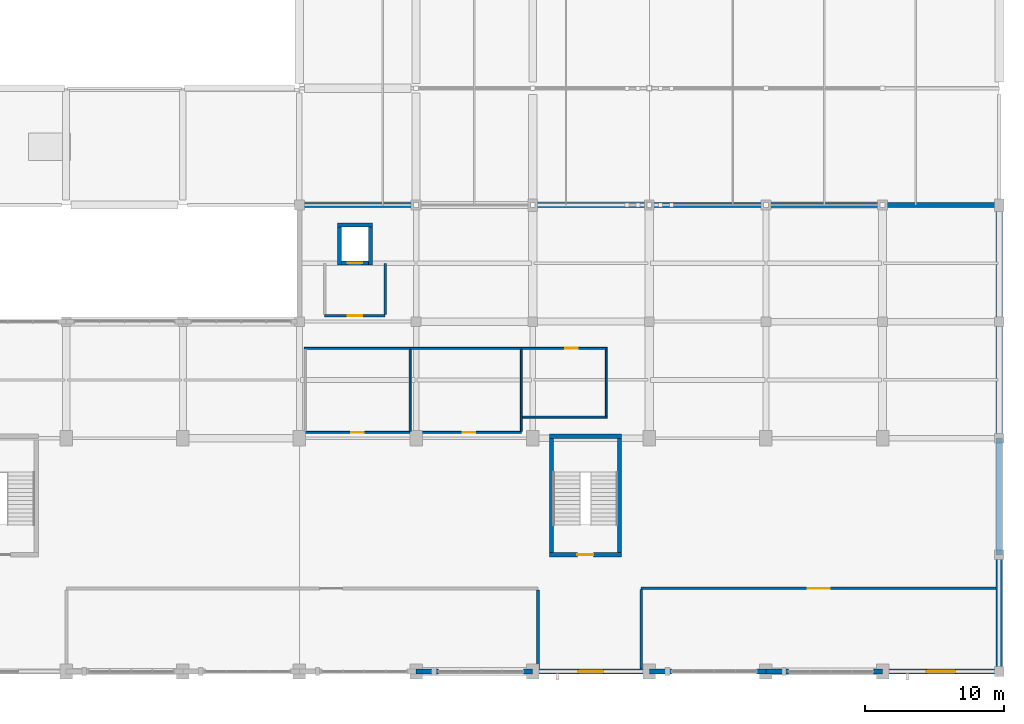
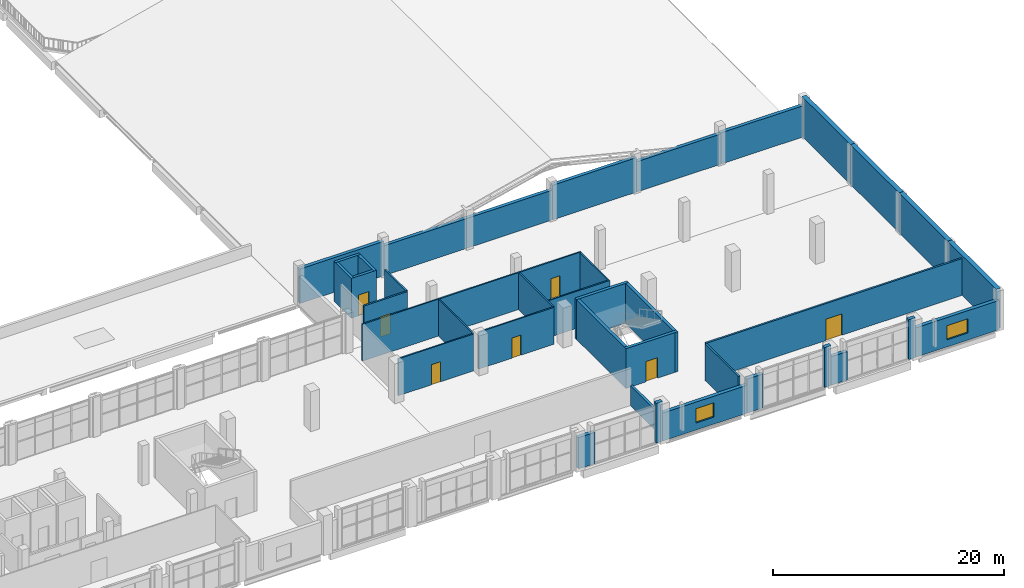
# One storey, part 57 of 64: 38 walls, 7 doors, 2 windows, 9 openings.
"""IFC4 building model written with IfcOpenShell, lengths in metres."""

import ifcopenshell
import ifcopenshell.guid

model = None  # the IFC model being written
_history = None  # IfcOwnerHistory: only IFC2X3 demands one
_inside = {}  # id of a spatial element -> (the spatial element, [elements in it])
_under = {}  # id of a project, library or spatial element -> (it, [spatial elements below it])
_declared = {}  # id of a project -> (the project, [libraries it declares])
_typed = {}  # id of a type object -> (the type object, [elements of that type])
_made_of = {}  # id of a material, layer set ... -> (it, [elements and type objects made of it])


def new_model(schema):
    """Start an empty IFC model of exactly this schema.

    Asked for "IFC4X3", IfcOpenShell would pick the latest addendum, in which some entities
    have other attributes; the version numbers below select the first issue.
    IFC2X3 requires an IfcOwnerHistory on every rooted entity: one is made here for all.
    """
    global model, _history
    if schema == "IFC4X3":
        model = ifcopenshell.file(schema_version=(4, 3, 0, 0))
    else:
        model = ifcopenshell.file(schema=schema)
    _inside.clear()
    _under.clear()
    _declared.clear()
    _typed.clear()
    _made_of.clear()
    _history = None
    if model.schema == "IFC2X3":
        org = make("IfcOrganization", Name="unknown")
        user = make(
            "IfcPersonAndOrganization",
            ThePerson=make("IfcPerson", FamilyName="unknown"),
            TheOrganization=org,
        )
        app = make(
            "IfcApplication",
            ApplicationDeveloper=org,
            Version="unknown",
            ApplicationFullName="unknown",
            ApplicationIdentifier="unknown",
        )
        _history = make(
            "IfcOwnerHistory",
            OwningUser=user,
            OwningApplication=app,
            ChangeAction="ADDED",
            CreationDate=0,
        )
    return model


def make(cls, **values):
    """One entity of the class cls with the attributes given. An attribute that is None is left unset."""
    return model.create_entity(
        cls, **{name: value for name, value in values.items() if value is not None}
    )


def rooted(cls, **values):
    """An entity with a GlobalId (a new one), such as an element, a storey or a relation."""
    return make(cls, GlobalId=ifcopenshell.guid.new(), OwnerHistory=_history, **values)


def si_unit(unit_type, name, prefix=None):
    """IfcSIUnit, for example si_unit("LENGTHUNIT", "METRE", prefix="MILLI")."""
    return make("IfcSIUnit", UnitType=unit_type, Prefix=prefix, Name=name)


def derived_unit(unit_type, elements):
    """IfcDerivedUnit: a product of units, each with its exponent."""
    return make(
        "IfcDerivedUnit",
        Elements=[
            make("IfcDerivedUnitElement", Unit=unit, Exponent=power)
            for unit, power in elements
        ],
        UnitType=unit_type,
    )


def assignment(units):
    """IfcUnitAssignment: the units of a project."""
    return None if units is None else make("IfcUnitAssignment", Units=units)


def point(xyz):
    """IfcCartesianPoint."""
    return None if xyz is None else make("IfcCartesianPoint", Coordinates=xyz)


def direction(xyz):
    """IfcDirection."""
    return None if xyz is None else make("IfcDirection", DirectionRatios=xyz)


def frame(location, z_axis=None, x_axis=None):
    """IfcAxis2Placement3D, a coordinate frame: its origin and axes. An axis left out is left unset."""
    return make(
        "IfcAxis2Placement3D",
        Location=point(location),
        Axis=direction(z_axis),
        RefDirection=direction(x_axis),
    )


def frame_2d(location, x_axis=None):
    """IfcAxis2Placement2D, a coordinate frame in the plane: its origin and x axis."""
    return make(
        "IfcAxis2Placement2D", Location=point(location), RefDirection=direction(x_axis)
    )


def origin():
    """The frame at (0, 0, 0) with its axes left unset."""
    return frame((0.0, 0.0, 0.0))


def place(relative_to, where):
    """IfcLocalPlacement: puts the frame where relative to a parent placement (None: the world)."""
    return make(
        "IfcLocalPlacement", PlacementRelTo=relative_to, RelativePlacement=where
    )


def context(
    kind, dimensions, precision=None, world=None, true_north=None, identifier=None
):
    """IfcGeometricRepresentationContext, for example the 3D "Model" context."""
    return make(
        "IfcGeometricRepresentationContext",
        ContextIdentifier=identifier,
        ContextType=kind,
        CoordinateSpaceDimension=dimensions,
        Precision=precision,
        WorldCoordinateSystem=world,
        TrueNorth=true_north,
    )


def subcontext(parent, identifier, kind, view, scale=None):
    """IfcGeometricRepresentationSubContext, for example "Body" below "Model"."""
    return make(
        "IfcGeometricRepresentationSubContext",
        ContextIdentifier=identifier,
        ContextType=kind,
        ParentContext=parent,
        TargetScale=scale,
        TargetView=view,
    )


def project(units=None, contexts=None):
    """IfcProject with its units and contexts."""
    return rooted(
        "IfcProject",
        Name="project",
        RepresentationContexts=contexts,
        UnitsInContext=assignment(units),
    )


def spatial(cls, under=None, at=None, **own):
    """A site, building, storey or space (cls), placed at a placement, below another one or the project."""
    s = rooted(cls, ObjectPlacement=at, **own)
    if under is not None:
        _under.setdefault(under.id(), (under, []))[1].append(s)
    return s


def profile(cls, at=None, kind="AREA", **sizes):
    """A parametric profile (cls). Its sizes go by their IFC names, for example OverallWidth=200.0."""
    return make(cls, ProfileType=kind, Position=at, **sizes)


def rectangle(**sizes):
    """IfcRectangleProfileDef."""
    return profile("IfcRectangleProfileDef", **sizes)


def extrude(swept, where, along, depth):
    """IfcExtrudedAreaSolid: the profile swept, set in the frame where, extruded along a direction by depth."""
    return make(
        "IfcExtrudedAreaSolid",
        SweptArea=swept,
        Position=where,
        ExtrudedDirection=direction(along),
        Depth=depth,
    )


def shape(context_of_items, identifier, shape_type, items):
    """IfcShapeRepresentation: the items that make up one representation, for example the "Body"."""
    return make(
        "IfcShapeRepresentation",
        ContextOfItems=context_of_items,
        RepresentationIdentifier=identifier,
        RepresentationType=shape_type,
        Items=items,
    )


def material(Name=None, Category=None):
    """IfcMaterial."""
    return make("IfcMaterial", Name=Name, Category=Category)


def layer(
    of_material, thickness, ventilated=None, Name=None, Category=None, Priority=None
):
    """IfcMaterialLayer: one layer of a wall or slab, of a material (None: an air gap)."""
    return make(
        "IfcMaterialLayer",
        Material=of_material,
        LayerThickness=thickness,
        IsVentilated=ventilated,
        Name=Name,
        Category=Category,
        Priority=Priority,
    )


def layer_set(layers, Name=None):
    """IfcMaterialLayerSet."""
    return make("IfcMaterialLayerSet", MaterialLayers=layers, LayerSetName=Name)


def made_of(thing, what):
    """Note that an element or type object is made of a material, layer set ...; save() writes the relation."""
    if what is not None:
        _made_of.setdefault(what.id(), (what, []))[1].append(thing)
    return thing


def type_object(cls, material=None, **own):
    """A type object (cls), such as IfcWallType, which elements share."""
    return made_of(rooted(cls, **own), material)


def element(
    cls,
    number,
    at=None,
    inside=None,
    cuts=None,
    type_object=None,
    material=None,
    context=None,
    identifier="Body",
    shape_type=None,
    held_by="IfcProductDefinitionShape",
    body=None,
    shapes=None,
    **own,
):
    """One element of the class cls, such as IfcWall. Its Tag is "e" and its number.

    at: its placement. inside: the storey or other place that contains it. cuts: it is an
    opening in that element (IfcRelVoidsElement). A single representation is given by context,
    identifier, shape_type and body (its items); several are given by shapes. held_by: the class
    of the entity that holds the representations. save() writes the other relations.
    """
    e = rooted(cls, Tag="e%d" % number, ObjectPlacement=at, **own)
    if body is not None:
        shapes = [shape(context, identifier, shape_type, body)]
    if shapes is not None:
        e.Representation = make(held_by, Representations=shapes)
    if inside is not None:
        _inside.setdefault(inside.id(), (inside, []))[1].append(e)
    if cuts is not None:
        rooted(
            "IfcRelVoidsElement", RelatingBuildingElement=cuts, RelatedOpeningElement=e
        )
    if type_object is not None:
        _typed.setdefault(type_object.id(), (type_object, []))[1].append(e)
    return made_of(e, material)


def fill(opening, filler):
    """IfcRelFillsElement: the door or window that sits in an opening."""
    return rooted(
        "IfcRelFillsElement",
        RelatingOpeningElement=opening,
        RelatedBuildingElement=filler,
    )


def aggregate(whole, parts):
    """IfcRelAggregates: a whole, such as a stair, and the parts it consists of."""
    return rooted("IfcRelAggregates", RelatingObject=whole, RelatedObjects=parts)


def save(model, path):
    """Write the relations noted so far, then the file.

    IfcRelAggregates (storeys below a building ...), IfcRelContainedInSpatialStructure (elements
    in a storey), IfcRelDefinesByType, IfcRelAssociatesMaterial and IfcRelDeclares: one each for
    every whole, place, type object, material and project.
    """
    for whole, parts in _under.values():
        aggregate(whole, parts)
    for where, things in _inside.values():
        rooted(
            "IfcRelContainedInSpatialStructure",
            RelatedElements=things,
            RelatingStructure=where,
        )
    for kind, things in _typed.values():
        rooted("IfcRelDefinesByType", RelatedObjects=things, RelatingType=kind)
    for what, things in _made_of.values():
        rooted("IfcRelAssociatesMaterial", RelatedObjects=things, RelatingMaterial=what)
    for by, libraries in _declared.values():
        rooted("IfcRelDeclares", RelatingContext=by, RelatedDefinitions=libraries)
    model.write(path)


model = new_model("IFC4")

# Units and contexts
model_context = context("Model", 3, precision=1e-05, world=origin(), true_north=direction((0.0, 1.0)))
body_context = subcontext(model_context, "Body", "Model", "MODEL_VIEW")
ifc_project = project(units=[si_unit("LENGTHUNIT", "METRE"), si_unit("AREAUNIT", "SQUARE_METRE"), si_unit("VOLUMEUNIT", "CUBIC_METRE"), si_unit("PLANEANGLEUNIT", "RADIAN"), si_unit("MASSUNIT", "GRAM", prefix="KILO"), derived_unit("THERMALTRANSMITTANCEUNIT", [(si_unit("POWERUNIT", "WATT"), 1), (si_unit("LENGTHUNIT", "METRE"), -2), (si_unit("THERMODYNAMICTEMPERATUREUNIT", "KELVIN"), -1)])], contexts=[model_context])

# Site, building, storey
site_placement = place(None, origin())
site = spatial("IfcSite", under=ifc_project, at=site_placement, CompositionType="ELEMENT")
building_placement = place(site_placement, origin())
building = spatial("IfcBuilding", under=site, at=building_placement, Name="Barrovel Congress Hotel", CompositionType="ELEMENT")
storey_placement = place(building_placement, frame((0.0, 0.0, 14.10009765625)))
storey = spatial("IfcBuildingStorey", under=building, at=storey_placement, Name="L03", CompositionType="ELEMENT", Elevation=14.10009765625)

# Walls
ifc_material_1 = material(Name="Fired Clay Brick Masonry", Category="masonry")
ifc_layer_1 = layer(ifc_material_1, 0.340087890625)
ifc_layer_set_1 = layer_set([ifc_layer_1], Name="Fired Clay Brick Masonry")
wall_type_1 = type_object("IfcWallType", Name="EW-BRK340", PredefinedType="STANDARD", material=ifc_layer_set_1)
wall_1_placement = place(storey_placement, frame((151.199951171875, 37.800048828125, 0.0), z_axis=(0.0, 0.0, 1.0), x_axis=(-1.0, 0.0, 0.0)))
element("IfcWall", 1, at=wall_1_placement, inside=storey, type_object=wall_type_1, Name="EW:L03:V4N-E", PredefinedType="STANDARD", context=body_context, shape_type="SweptSolid", body=[
    extrude(rectangle(XDim=16.800048828125, YDim=0.340087890625, at=frame_2d((8.39990234375, 0.0))), origin(), (0.0, 0.0, 1.0), 3.14990234375),
])
wall_2_placement = place(storey_placement, frame((176.39990234375, 37.800048828125, 0.0), z_axis=(0.0, 0.0, 1.0), x_axis=(-1.0, 0.0, 0.0)))
element("IfcWall", 2, at=wall_2_placement, inside=storey, type_object=wall_type_1, Name="EW:L03:V4N-E:P01", PredefinedType="STANDARD", context=body_context, shape_type="SweptSolid", body=[
    extrude(rectangle(XDim=8.39990234375, YDim=0.340087890625, at=frame_2d((4.199951171875, 0.0))), origin(), (0.0, 0.0, 1.0), 3.2998046875),
])
wall_3_placement = place(storey_placement, frame((168.0, 37.800048828125, 0.0), z_axis=(0.0, 0.0, 1.0), x_axis=(-1.0, 0.0, 0.0)))
element("IfcWall", 3, at=wall_3_placement, inside=storey, type_object=wall_type_1, Name="EW:L03:V4N-E:P02", PredefinedType="STANDARD", context=body_context, shape_type="SweptSolid", body=[
    extrude(rectangle(XDim=8.39990234375, YDim=0.340087890625, at=frame_2d((4.199951171875, 0.0))), origin(), (0.0, 0.0, 1.0), 3.199951171875),
])
wall_4_placement = place(storey_placement, frame((159.60009765625, 37.800048828125, 0.0), z_axis=(0.0, 0.0, 1.0), x_axis=(-1.0, 0.0, 0.0)))
element("IfcWall", 4, at=wall_4_placement, inside=storey, type_object=wall_type_1, Name="EW:L03:V4N-E:P03", PredefinedType="STANDARD", context=body_context, shape_type="SweptSolid", body=[
    extrude(rectangle(XDim=8.400146484375, YDim=0.340087890625, at=frame_2d((4.2001953125, 0.0))), origin(), (0.0, 0.0, 1.0), 3.65283203125),
])
wall_5_placement = place(storey_placement, frame((134.39990234375, 37.800048828125, 0.0), z_axis=(0.0, 0.0, 1.0), x_axis=(-1.0, 0.0, 0.0)))
element("IfcWall", 5, at=wall_5_placement, inside=storey, type_object=wall_type_1, Name="EW:L03:V4N-E:P05", PredefinedType="STANDARD", context=body_context, shape_type="SweptSolid", body=[
    extrude(rectangle(XDim=8.39990234375, YDim=0.340087890625, at=frame_2d((4.199951171875, 0.0))), origin(), (0.0, 0.0, 1.0), 3.64599609375),
])
ifc_layer_2 = layer(ifc_material_1, 0.360107421875)
ifc_layer_set_2 = layer_set([ifc_layer_2], Name="Fired Clay Brick Masonry")
wall_type_2 = type_object("IfcWallType", Name="EW-BRK360", PredefinedType="STANDARD", material=ifc_layer_set_2)
wall_6_placement = place(storey_placement, frame((134.39990234375, 4.199951171875, 0.0), z_axis=(0.0, 0.0, 1.0), x_axis=(1.0, 0.0, 0.0)))
element("IfcWall", 6, at=wall_6_placement, inside=storey, type_object=wall_type_2, Name="EW:L03:SJ-L:16", PredefinedType="STANDARD", context=body_context, shape_type="SweptSolid", body=[
    extrude(rectangle(XDim=1.6201171875, YDim=0.360107421875, at=frame_2d((0.81005859375, 0.0))), origin(), (0.0, 0.0, 1.0), 3.2998046875),
])
wall_7_placement = place(storey_placement, frame((142.139892578125, 4.199951171875, 0.0), z_axis=(0.0, 0.0, 1.0), x_axis=(1.0, 0.0, 0.0)))
element("IfcWall", 7, at=wall_7_placement, inside=storey, type_object=wall_type_2, Name="EW:L03:SJ-R:16", PredefinedType="STANDARD", context=body_context, shape_type="SweptSolid", body=[
    extrude(rectangle(XDim=0.66015625, YDim=0.360107421875, at=frame_2d((0.330078125, 0.0))), origin(), (0.0, 0.0, 1.0), 4.199951171875),
])

# Wall, opening, window
wall_8_placement = place(storey_placement, frame((142.800048828125, 4.199951171875, 0.0), z_axis=(0.0, 0.0, 1.0), x_axis=(1.0, 0.0, 0.0)))
wall_8 = element("IfcWall", 8, at=wall_8_placement, inside=storey, type_object=wall_type_2, Name="EW:L03:S:17", PredefinedType="STANDARD", context=body_context, shape_type="SweptSolid", body=[
    extrude(rectangle(XDim=8.39990234375, YDim=0.360107421875, at=frame_2d((4.199951171875, 0.0))), origin(), (0.0, 0.0, 1.0), 2.949951171875),
])
opening_1_placement = place(wall_8_placement, frame((3.300048828125, 0.0, 0.75)))
opening_1 = element("IfcOpeningElement", 9, at=opening_1_placement, cuts=wall_8, Name="Opening WN-03", PredefinedType="OPENING", context=body_context, shape_type="SweptSolid", body=[
    extrude(rectangle(XDim=1.800048828125, YDim=1.5, at=frame_2d((0.89990234375, 0.75))), frame((0.0, 0.18994140625, 0.0), z_axis=(0.0, -1.0, 0.0), x_axis=(1.0, 0.0, 0.0)), (0.0, 0.0, 1.0), 0.380126953125),
])
ifc_material_2 = material(Name="Double Low-E Insulated Glazing", Category="glass")
window_type_1 = type_object("IfcWindowType", Name="WIN-WN-03", PartitioningType="SINGLE_PANEL", PredefinedType="WINDOW", material=ifc_material_2)
window_1_placement = place(opening_1_placement, origin())
window_1 = element("IfcWindow", 10, at=window_1_placement, inside=storey, type_object=window_type_1, Name="WIN:L03:S:17", OverallHeight=1.5, OverallWidth=1.800048828125, PartitioningType="SINGLE_PANEL", PredefinedType="WINDOW", context=body_context, shape_type="SweptSolid", body=[
    extrude(rectangle(XDim=1.800048828125, YDim=1.5, at=frame_2d((0.89990234375, 0.75))), frame((0.0, 0.030029296875, 0.0), z_axis=(0.0, -1.0, 0.0), x_axis=(1.0, 0.0, 0.0)), (0.0, 0.0, 1.0), 0.06005859375),
])
fill(opening_1, window_1)

# Walls
wall_9_placement = place(storey_placement, frame((151.199951171875, 4.199951171875, 0.0), z_axis=(0.0, 0.0, 1.0), x_axis=(1.0, 0.0, 0.0)))
element("IfcWall", 11, at=wall_9_placement, inside=storey, type_object=wall_type_2, Name="EW:L03:SJ-L:18", PredefinedType="STANDARD", context=body_context, shape_type="SweptSolid", body=[
    extrude(rectangle(XDim=1.6201171875, YDim=0.360107421875, at=frame_2d((0.81005859375, 0.0))), origin(), (0.0, 0.0, 1.0), 3.58984375),
])
wall_10_placement = place(storey_placement, frame((158.93994140625, 4.199951171875, 0.0), z_axis=(0.0, 0.0, 1.0), x_axis=(1.0, 0.0, 0.0)))
element("IfcWall", 12, at=wall_10_placement, inside=storey, type_object=wall_type_2, Name="EW:L03:SJ-R:18", PredefinedType="STANDARD", context=body_context, shape_type="SweptSolid", body=[
    extrude(rectangle(XDim=0.66015625, YDim=0.360107421875, at=frame_2d((0.330078125, 0.0))), origin(), (0.0, 0.0, 1.0), 4.199951171875),
])
wall_11_placement = place(storey_placement, frame((159.60009765625, 4.199951171875, 0.0), z_axis=(0.0, 0.0, 1.0), x_axis=(1.0, 0.0, 0.0)))
element("IfcWall", 13, at=wall_11_placement, inside=storey, type_object=wall_type_2, Name="EW:L03:SJ-L:19", PredefinedType="STANDARD", context=body_context, shape_type="SweptSolid", body=[
    extrude(rectangle(XDim=1.619873046875, YDim=0.360107421875, at=frame_2d((0.81005859375, 0.0))), origin(), (0.0, 0.0, 1.0), 3.0),
])
wall_12_placement = place(storey_placement, frame((167.340087890625, 4.199951171875, 0.0), z_axis=(0.0, 0.0, 1.0), x_axis=(1.0, 0.0, 0.0)))
element("IfcWall", 14, at=wall_12_placement, inside=storey, type_object=wall_type_2, Name="EW:L03:SJ-R:19", PredefinedType="STANDARD", context=body_context, shape_type="SweptSolid", body=[
    extrude(rectangle(XDim=0.659912109375, YDim=0.360107421875, at=frame_2d((0.330078125, 0.0))), origin(), (0.0, 0.0, 1.0), 4.199951171875),
])

# Wall, opening, window
wall_13_placement = place(storey_placement, frame((168.0, 4.199951171875, 0.0), z_axis=(0.0, 0.0, 1.0), x_axis=(1.0, 0.0, 0.0)))
wall_13 = element("IfcWall", 15, at=wall_13_placement, inside=storey, type_object=wall_type_2, Name="EW:L03:S:20", PredefinedType="STANDARD", context=body_context, shape_type="SweptSolid", body=[
    extrude(rectangle(XDim=8.39990234375, YDim=0.360107421875, at=frame_2d((4.199951171875, 0.0))), origin(), (0.0, 0.0, 1.0), 3.099853515625),
])
opening_2_placement = place(wall_13_placement, frame((3.14990234375, 0.0, 0.75)))
opening_2 = element("IfcOpeningElement", 16, at=opening_2_placement, cuts=wall_13, Name="Opening WN-04", PredefinedType="OPENING", context=body_context, shape_type="SweptSolid", body=[
    extrude(rectangle(XDim=2.10009765625, YDim=1.5, at=frame_2d((1.050048828125, 0.75))), frame((0.0, 0.18994140625, 0.0), z_axis=(0.0, -1.0, 0.0), x_axis=(1.0, 0.0, 0.0)), (0.0, 0.0, 1.0), 0.380126953125),
])
window_type_2 = type_object("IfcWindowType", Name="WIN-WN-04", PartitioningType="SINGLE_PANEL", PredefinedType="WINDOW", material=ifc_material_2)
window_2_placement = place(opening_2_placement, origin())
window_2 = element("IfcWindow", 17, at=window_2_placement, inside=storey, type_object=window_type_2, Name="WIN:L03:S:20", OverallHeight=1.5, OverallWidth=2.10009765625, PartitioningType="SINGLE_PANEL", PredefinedType="WINDOW", context=body_context, shape_type="SweptSolid", body=[
    extrude(rectangle(XDim=2.10009765625, YDim=1.5, at=frame_2d((1.050048828125, 0.75))), frame((0.0, 0.030029296875, 0.0), z_axis=(0.0, -1.0, 0.0), x_axis=(1.0, 0.0, 0.0)), (0.0, 0.0, 1.0), 0.06005859375),
])
fill(opening_2, window_2)

# Walls
ifc_layer_3 = layer(ifc_material_1, 0.449951171875)
ifc_layer_set_3 = layer_set([ifc_layer_3], Name="Fired Clay Brick Masonry")
wall_type_3 = type_object("IfcWallType", Name="EW-PW450", PredefinedType="STANDARD", material=ifc_layer_set_3)
wall_14_placement = place(storey_placement, frame((176.39990234375, 4.199951171875, 0.0), z_axis=(0.0, 0.0, 1.0), x_axis=(0.0, 1.0, 0.0)))
element("IfcWall", 18, at=wall_14_placement, inside=storey, type_object=wall_type_3, Name="EW:L03:PARTY:4.2", PredefinedType="STANDARD", context=body_context, shape_type="SweptSolid", body=[
    extrude(rectangle(XDim=8.400146484375, YDim=0.449951171875, at=frame_2d((4.2001953125, 0.0))), origin(), (0.0, 0.0, 1.0), 4.199951171875),
])
for number, where, z_axis, x_axis, name in (
    (19, (176.39990234375, 12.60009765625, 0.0), (0.0, 0.0, 1.0), (0.0, 1.0, 0.0), "EW:L03:PARTY:12.6"),
    (20, (176.39990234375, 21.0, 0.0), (0.0, 0.0, 1.0), (0.0, 1.0, 0.0), "EW:L03:PARTY:21.0"),
):
    element("IfcWall", number, at=place(storey_placement, frame(where, z_axis=z_axis, x_axis=x_axis)), inside=storey, type_object=wall_type_3, Name=name, PredefinedType="STANDARD", context=body_context, shape_type="SweptSolid", body=[
        extrude(rectangle(XDim=8.39990234375, YDim=0.449951171875, at=frame_2d((4.199951171875, 0.0))), origin(), (0.0, 0.0, 1.0), 4.199951171875),
    ])
wall_15_placement = place(storey_placement, frame((176.39990234375, 29.39990234375, 0.0), z_axis=(0.0, 0.0, 1.0), x_axis=(0.0, 1.0, 0.0)))
element("IfcWall", 21, at=wall_15_placement, inside=storey, type_object=wall_type_3, Name="EW:L03:PARTY:29.4", PredefinedType="STANDARD", context=body_context, shape_type="SweptSolid", body=[
    extrude(rectangle(XDim=8.400146484375, YDim=0.449951171875, at=frame_2d((4.2001953125, 0.0))), origin(), (0.0, 0.0, 1.0), 4.199951171875),
])

# Wall, opening, door
ifc_material_3 = material(Name="Gypsum Acoustic Stud", Category="gypsum")
ifc_layer_4 = layer(ifc_material_3, 0.179931640625)
ifc_layer_set_4 = layer_set([ifc_layer_4], Name="Gypsum Acoustic Stud")
wall_type_4 = type_object("IfcWallType", Name="PW-ACU-180", PredefinedType="PARTITIONING", material=ifc_layer_set_4)
wall_16_placement = place(storey_placement, frame((127.820068359375, 29.820068359375, 0.0), z_axis=(0.0, 0.0, 1.0), x_axis=(1.0, 0.0, 0.0)))
wall_16 = element("IfcWall", 22, at=wall_16_placement, inside=storey, type_object=wall_type_4, Name="RW:SP:L03:LL-CL2:S", PredefinedType="PARTITIONING", context=body_context, shape_type="SweptSolid", body=[
    extrude(rectangle(XDim=4.35986328125, YDim=0.179931640625, at=frame_2d((2.179931640625, 0.0))), origin(), (0.0, 0.0, 1.0), 3.89501953125),
])
opening_3_placement = place(wall_16_placement, frame((1.669921875, 0.0, 0.0)))
opening_3 = element("IfcOpeningElement", 23, at=opening_3_placement, cuts=wall_16, Name="Opening ID-ACC", PredefinedType="OPENING", context=body_context, shape_type="SweptSolid", body=[
    extrude(rectangle(XDim=1.02001953125, YDim=2.14990234375, at=frame_2d((0.510009765625, 1.074951171875))), frame((0.0, 0.10009765625, 0.0), z_axis=(0.0, -1.0, 0.0), x_axis=(1.0, 0.0, 0.0)), (0.0, 0.0, 1.0), 0.199951171875),
])
ifc_material_4 = material(Name="Solid Oak Acoustic Timber Door", Category="wood")
door_type_1 = type_object("IfcDoorType", Name="IDR-ID-ACC", OperationType="NOTDEFINED", PredefinedType="DOOR", material=ifc_material_4)
door_1_placement = place(opening_3_placement, origin())
door_1 = element("IfcDoor", 24, at=door_1_placement, inside=storey, type_object=door_type_1, Name="RD:SP:L03:LL-CL2", OperationType="SINGLE_SWING_LEFT", OverallHeight=2.14990234375, OverallWidth=1.02001953125, PredefinedType="DOOR", context=body_context, shape_type="SweptSolid", body=[
    extrude(rectangle(XDim=1.02001953125, YDim=2.14990234375, at=frame_2d((0.510009765625, 1.074951171875))), frame((0.0, 0.02490234375, 0.0), z_axis=(0.0, -1.0, 0.0), x_axis=(1.0, 0.0, 0.0)), (0.0, 0.0, 1.0), 0.050048828125),
])
fill(opening_3, door_1)

# Wall
wall_17_placement = place(storey_placement, frame((132.179931640625, 29.909912109375, 0.0), z_axis=(0.0, 0.0, 1.0), x_axis=(0.0, 1.0, 0.0)))
element("IfcWall", 25, at=wall_17_placement, inside=storey, type_object=wall_type_4, Name="RW:SP:L03:LL-CL2:E", PredefinedType="PARTITIONING", context=body_context, shape_type="SweptSolid", body=[
    extrude(rectangle(XDim=3.670166015625, YDim=0.179931640625, at=frame_2d((1.8349609375, 0.0))), origin(), (0.0, 0.0, 1.0), 3.89501953125),
])

# Wall, opening, door
wall_18_placement = place(storey_placement, frame((150.6201171875, 10.179931640625, 0.0), z_axis=(0.0, 0.0, 1.0), x_axis=(1.0, 0.0, 0.0)))
wall_18 = element("IfcWall", 26, at=wall_18_placement, inside=storey, type_object=wall_type_4, Name="RW:SP:L03:HOSP-2:N", PredefinedType="PARTITIONING", context=body_context, shape_type="SweptSolid", body=[
    extrude(rectangle(XDim=25.554931640625, YDim=0.179931640625, at=frame_2d((12.77734375, 0.0))), origin(), (0.0, 0.0, 1.0), 3.89501953125),
])
opening_4_placement = place(wall_18_placement, frame((11.9775390625, 0.0, 0.0)))
opening_4 = element("IfcOpeningElement", 27, at=opening_4_placement, cuts=wall_18, Name="Opening ID-MTG", PredefinedType="OPENING", context=body_context, shape_type="SweptSolid", body=[
    extrude(rectangle(XDim=1.60009765625, YDim=2.25, at=frame_2d((0.800048828125, 1.125))), frame((0.0, 0.10009765625, 0.0), z_axis=(0.0, -1.0, 0.0), x_axis=(1.0, 0.0, 0.0)), (0.0, 0.0, 1.0), 0.199951171875),
])
door_type_2 = type_object("IfcDoorType", Name="IDR-ID-MTG", OperationType="NOTDEFINED", PredefinedType="DOOR", material=ifc_material_4)
door_2_placement = place(opening_4_placement, origin())
door_2 = element("IfcDoor", 28, at=door_2_placement, inside=storey, type_object=door_type_2, Name="RD:SP:L03:HOSP-2", OperationType="DOUBLE_DOOR_SINGLE_SWING", OverallHeight=2.25, OverallWidth=1.60009765625, PredefinedType="DOOR", context=body_context, shape_type="SweptSolid", body=[
    extrude(rectangle(XDim=1.60009765625, YDim=2.25, at=frame_2d((0.800048828125, 1.125))), frame((0.0, 0.02490234375, 0.0), z_axis=(0.0, -1.0, 0.0), x_axis=(1.0, 0.0, 0.0)), (0.0, 0.0, 1.0), 0.050048828125),
])
fill(opening_4, door_2)

# Walls
wall_19_placement = place(storey_placement, frame((150.6201171875, 4.3798828125, 0.0), z_axis=(0.0, 0.0, 1.0), x_axis=(0.0, 1.0, 0.0)))
element("IfcWall", 29, at=wall_19_placement, inside=storey, type_object=wall_type_4, Name="RW:SP:L03:HOSP-2:W", PredefinedType="PARTITIONING", context=body_context, shape_type="SweptSolid", body=[
    extrude(rectangle(XDim=5.710205078125, YDim=0.179931640625, at=frame_2d((2.85498046875, 0.0))), origin(), (0.0, 0.0, 1.0), 3.89501953125),
])
ifc_layer_5 = layer(ifc_material_1, 0.239990234375)
ifc_layer_set_5 = layer_set([ifc_layer_5], Name="Fired Clay Brick Masonry")
wall_type_5 = type_object("IfcWallType", Name="PW-MAS-240", PredefinedType="PARTITIONING", material=ifc_layer_set_5)
wall_20_placement = place(storey_placement, frame((143.179931640625, 4.3798828125, 0.0), z_axis=(0.0, 0.0, 1.0), x_axis=(0.0, 1.0, 0.0)))
element("IfcWall", 30, at=wall_20_placement, inside=storey, type_object=wall_type_5, Name="RW:SP:L03:HOSP-1:E", PredefinedType="PARTITIONING", context=body_context, shape_type="SweptSolid", body=[
    extrude(rectangle(XDim=5.68017578125, YDim=0.239990234375, at=frame_2d((2.840087890625, 0.0))), origin(), (0.0, 0.0, 1.0), 2.099853515625),
])
ifc_material_5 = material(Name="Gypsum Moisture Board", Category="gypsum")
ifc_layer_6 = layer(ifc_material_5, 0.139892578125)
ifc_layer_set_6 = layer_set([ifc_layer_6], Name="Gypsum Moisture Board")
wall_type_6 = type_object("IfcWallType", Name="PW-WET-140", PredefinedType="PARTITIONING", material=ifc_layer_set_6)
wall_21_placement = place(storey_placement, frame((126.35009765625, 27.47998046875, 0.0), z_axis=(0.0, 0.0, 1.0), x_axis=(1.0, 0.0, 0.0)))
element("IfcWall", 31, at=wall_21_placement, inside=storey, type_object=wall_type_6, Name="RW:SP:L03:WCB:N", PredefinedType="PARTITIONING", context=body_context, shape_type="SweptSolid", body=[
    extrude(rectangle(XDim=15.699951171875, YDim=0.139892578125, at=frame_2d((7.85009765625, 0.0))), origin(), (0.0, 0.0, 1.0), 3.89501953125),
])

# Wall, opening, door
wall_22_placement = place(storey_placement, frame((126.419921875, 21.419921875, 0.0), z_axis=(0.0, 0.0, 1.0), x_axis=(1.0, 0.0, 0.0)))
wall_22 = element("IfcWall", 32, at=wall_22_placement, inside=storey, type_object=wall_type_6, Name="RW:SP:L03:WC-M3:S", PredefinedType="PARTITIONING", context=body_context, shape_type="SweptSolid", body=[
    extrude(rectangle(XDim=7.56005859375, YDim=0.139892578125, at=frame_2d((3.780029296875, 0.0))), origin(), (0.0, 0.0, 1.0), 3.89501953125),
])
opening_5_placement = place(wall_22_placement, frame((3.330078125, 0.0, 0.0)))
opening_5 = element("IfcOpeningElement", 33, at=opening_5_placement, cuts=wall_22, Name="Opening ID-WC1", PredefinedType="OPENING", context=body_context, shape_type="SweptSolid", body=[
    extrude(rectangle(XDim=0.89990234375, YDim=2.1201171875, at=frame_2d((0.449951171875, 1.06005859375))), frame((0.0, 0.080078125, 0.0), z_axis=(0.0, -1.0, 0.0), x_axis=(1.0, 0.0, 0.0)), (0.0, 0.0, 1.0), 0.159912109375),
])
ifc_material_6 = material(Name="Lacquered Timber Moisture Door", Category="wood")
door_type_3 = type_object("IfcDoorType", Name="IDR-ID-WC1", OperationType="NOTDEFINED", PredefinedType="DOOR", material=ifc_material_6)
door_3_placement = place(opening_5_placement, origin())
door_3 = element("IfcDoor", 34, at=door_3_placement, inside=storey, type_object=door_type_3, Name="RD:SP:L03:WC-M3", OperationType="SINGLE_SWING_LEFT", OverallHeight=2.1201171875, OverallWidth=0.89990234375, PredefinedType="DOOR", context=body_context, shape_type="SweptSolid", body=[
    extrude(rectangle(XDim=0.89990234375, YDim=2.1201171875, at=frame_2d((0.449951171875, 1.06005859375))), frame((0.0, 0.02490234375, 0.0), z_axis=(0.0, -1.0, 0.0), x_axis=(1.0, 0.0, 0.0)), (0.0, 0.0, 1.0), 0.050048828125),
])
fill(opening_5, door_3)

# Wall
wall_23_placement = place(storey_placement, frame((133.97998046875, 21.489990234375, 0.0), z_axis=(0.0, 0.0, 1.0), x_axis=(0.0, 1.0, 0.0)))
element("IfcWall", 35, at=wall_23_placement, inside=storey, type_object=wall_type_6, Name="RW:SP:L03:WC-M3:E", PredefinedType="PARTITIONING", context=body_context, shape_type="SweptSolid", body=[
    extrude(rectangle(XDim=5.919921875, YDim=0.139892578125, at=frame_2d((2.9599609375, 0.0))), origin(), (0.0, 0.0, 1.0), 3.89501953125),
])

# Wall, opening, door
wall_24_placement = place(storey_placement, frame((134.419921875, 21.419921875, 0.0), z_axis=(0.0, 0.0, 1.0), x_axis=(1.0, 0.0, 0.0)))
wall_24 = element("IfcWall", 36, at=wall_24_placement, inside=storey, type_object=wall_type_6, Name="RW:SP:L03:WC-F3:S", PredefinedType="PARTITIONING", context=body_context, shape_type="SweptSolid", body=[
    extrude(rectangle(XDim=7.56005859375, YDim=0.139892578125, at=frame_2d((3.780029296875, 0.0))), origin(), (0.0, 0.0, 1.0), 3.89501953125),
])
opening_6_placement = place(wall_24_placement, frame((3.330078125, 0.0, 0.0)))
opening_6 = element("IfcOpeningElement", 37, at=opening_6_placement, cuts=wall_24, Name="Opening ID-WC1", PredefinedType="OPENING", context=body_context, shape_type="SweptSolid", body=[
    extrude(rectangle(XDim=0.89990234375, YDim=2.1201171875, at=frame_2d((0.449951171875, 1.06005859375))), frame((0.0, 0.080078125, 0.0), z_axis=(0.0, -1.0, 0.0), x_axis=(1.0, 0.0, 0.0)), (0.0, 0.0, 1.0), 0.159912109375),
])
door_4_placement = place(opening_6_placement, origin())
door_4 = element("IfcDoor", 38, at=door_4_placement, inside=storey, type_object=door_type_3, Name="RD:SP:L03:WC-F3", OperationType="SINGLE_SWING_RIGHT", OverallHeight=2.1201171875, OverallWidth=0.89990234375, PredefinedType="DOOR", context=body_context, shape_type="SweptSolid", body=[
    extrude(rectangle(XDim=0.89990234375, YDim=2.1201171875, at=frame_2d((0.449951171875, 1.06005859375))), frame((0.0, 0.02490234375, 0.0), z_axis=(0.0, -1.0, 0.0), x_axis=(1.0, 0.0, 0.0)), (0.0, 0.0, 1.0), 0.050048828125),
])
fill(opening_6, door_4)

# Walls
wall_25_placement = place(storey_placement, frame((141.97998046875, 21.489990234375, 0.0), z_axis=(0.0, 0.0, 1.0), x_axis=(0.0, 1.0, 0.0)))
element("IfcWall", 39, at=wall_25_placement, inside=storey, type_object=wall_type_6, Name="RW:SP:L03:WC-F3:E", PredefinedType="PARTITIONING", context=body_context, shape_type="SweptSolid", body=[
    extrude(rectangle(XDim=5.919921875, YDim=0.139892578125, at=frame_2d((2.9599609375, 0.0))), origin(), (0.0, 0.0, 1.0), 3.89501953125),
])
wall_26_placement = place(storey_placement, frame((142.050048828125, 22.52001953125, 0.0), z_axis=(0.0, 0.0, 1.0), x_axis=(1.0, 0.0, 0.0)))
element("IfcWall", 40, at=wall_26_placement, inside=storey, type_object=wall_type_6, Name="RW:SP:L03:WC-A3:S", PredefinedType="PARTITIONING", context=body_context, shape_type="SweptSolid", body=[
    extrude(rectangle(XDim=6.119873046875, YDim=0.139892578125, at=frame_2d((3.06005859375, 0.0))), origin(), (0.0, 0.0, 1.0), 3.89501953125),
])
wall_27_placement = place(storey_placement, frame((148.10009765625, 22.590087890625, 0.0), z_axis=(0.0, 0.0, 1.0), x_axis=(0.0, 1.0, 0.0)))
element("IfcWall", 41, at=wall_27_placement, inside=storey, type_object=wall_type_6, Name="RW:SP:L03:WC-A3:E", PredefinedType="PARTITIONING", context=body_context, shape_type="SweptSolid", body=[
    extrude(rectangle(XDim=4.81982421875, YDim=0.139892578125, at=frame_2d((2.409912109375, 0.0))), origin(), (0.0, 0.0, 1.0), 3.89501953125),
])

# Wall, opening, door
wall_28_placement = place(storey_placement, frame((142.050048828125, 27.47998046875, 0.0), z_axis=(0.0, 0.0, 1.0), x_axis=(1.0, 0.0, 0.0)))
wall_28 = element("IfcWall", 42, at=wall_28_placement, inside=storey, type_object=wall_type_6, Name="RW:SP:L03:WC-A3:N", PredefinedType="PARTITIONING", context=body_context, shape_type="SweptSolid", body=[
    extrude(rectangle(XDim=6.119873046875, YDim=0.139892578125, at=frame_2d((3.06005859375, 0.0))), origin(), (0.0, 0.0, 1.0), 3.89501953125),
])
opening_7_placement = place(wall_28_placement, frame((3.10009765625, 0.0, 0.0)))
opening_7 = element("IfcOpeningElement", 43, at=opening_7_placement, cuts=wall_28, Name="Opening ID-WC1", PredefinedType="OPENING", context=body_context, shape_type="SweptSolid", body=[
    extrude(rectangle(XDim=0.89990234375, YDim=2.1201171875, at=frame_2d((0.449951171875, 1.06005859375))), frame((0.0, 0.080078125, 0.0), z_axis=(0.0, -1.0, 0.0), x_axis=(1.0, 0.0, 0.0)), (0.0, 0.0, 1.0), 0.159912109375),
])
door_5_placement = place(opening_7_placement, origin())
door_5 = element("IfcDoor", 44, at=door_5_placement, inside=storey, type_object=door_type_3, Name="RD:SP:L03:WC-A3", OperationType="SINGLE_SWING_LEFT", OverallHeight=2.1201171875, OverallWidth=0.89990234375, PredefinedType="DOOR", context=body_context, shape_type="SweptSolid", body=[
    extrude(rectangle(XDim=0.89990234375, YDim=2.1201171875, at=frame_2d((0.449951171875, 1.06005859375))), frame((0.0, 0.02490234375, 0.0), z_axis=(0.0, -1.0, 0.0), x_axis=(1.0, 0.0, 0.0)), (0.0, 0.0, 1.0), 0.050048828125),
])
fill(opening_7, door_5)

ifc_material_7 = material(Name="Concrete C40", Category="concrete")
ifc_layer_7 = layer(ifc_material_7, 0.280029296875)
ifc_layer_set_7 = layer_set([ifc_layer_7], Name="Concrete C40")
wall_type_7 = type_object("IfcWallType", Name="SW-C40-280", PredefinedType="SHEAR", material=ifc_layer_set_7)
wall_29_placement = place(storey_placement, frame((128.739990234375, 33.6298828125, 0.0), z_axis=(0.0, 0.0, 1.0), x_axis=(1.0, 0.0, 0.0)))
wall_29 = element("IfcWall", 45, at=wall_29_placement, inside=storey, type_object=wall_type_7, Name="LSH:CL-2:L03:S", PredefinedType="SHEAR", context=body_context, shape_type="SweptSolid", body=[
    extrude(rectangle(XDim=2.52001953125, YDim=0.280029296875, at=frame_2d((1.260009765625, 0.0))), origin(), (0.0, 0.0, 1.0), 4.199951171875),
])
opening_8_placement = place(wall_29_placement, frame((0.735107421875, 0.0, 0.0)))
opening_8 = element("IfcOpeningElement", 46, at=opening_8_placement, cuts=wall_29, Name="Opening LD-PAX", PredefinedType="OPENING", context=body_context, shape_type="SweptSolid", body=[
    extrude(rectangle(XDim=1.050048828125, YDim=2.199951171875, at=frame_2d((0.52490234375, 1.10009765625))), frame((0.0, 0.14990234375, 0.0), z_axis=(0.0, -1.0, 0.0), x_axis=(1.0, 0.0, 0.0)), (0.0, 0.0, 1.0), 0.300048828125),
])
ifc_material_8 = material(Name="Brushed Stainless Steel", Category="steel")
door_type_4 = type_object("IfcDoorType", Name="IDR-LD-PAX", OperationType="NOTDEFINED", PredefinedType="DOOR", material=ifc_material_8)
door_6_placement = place(opening_8_placement, origin())
door_6 = element("IfcDoor", 47, at=door_6_placement, inside=storey, type_object=door_type_4, Name="Lift Landing Door LD-CL-2-L03", OperationType="SLIDING_TO_LEFT", OverallHeight=2.199951171875, OverallWidth=1.050048828125, PredefinedType="DOOR", context=body_context, shape_type="SweptSolid", body=[
    extrude(rectangle(XDim=1.050048828125, YDim=2.199951171875, at=frame_2d((0.52490234375, 1.10009765625))), frame((0.0, 0.02490234375, 0.0), z_axis=(0.0, -1.0, 0.0), x_axis=(1.0, 0.0, 0.0)), (0.0, 0.0, 1.0), 0.050048828125),
])
fill(opening_8, door_6)

# Walls
wall_30_placement = place(storey_placement, frame((131.1201171875, 33.489990234375, 0.0), z_axis=(0.0, 0.0, 1.0), x_axis=(0.0, 1.0, 0.0)))
element("IfcWall", 48, at=wall_30_placement, inside=storey, type_object=wall_type_7, Name="LSH:CL-2:L03:E", PredefinedType="SHEAR", context=body_context, shape_type="SweptSolid", body=[
    extrude(rectangle(XDim=3.02001953125, YDim=0.280029296875, at=frame_2d((1.510009765625, 0.0))), origin(), (0.0, 0.0, 1.0), 4.199951171875),
])
wall_31_placement = place(storey_placement, frame((131.260009765625, 36.3701171875, 0.0), z_axis=(0.0, 0.0, 1.0), x_axis=(-1.0, 0.0, 0.0)))
element("IfcWall", 49, at=wall_31_placement, inside=storey, type_object=wall_type_7, Name="LSH:CL-2:L03:N", PredefinedType="SHEAR", context=body_context, shape_type="SweptSolid", body=[
    extrude(rectangle(XDim=2.52001953125, YDim=0.280029296875, at=frame_2d((1.260009765625, 0.0))), origin(), (0.0, 0.0, 1.0), 4.199951171875),
])
wall_32_placement = place(storey_placement, frame((128.8798828125, 36.510009765625, 0.0), z_axis=(0.0, 0.0, 1.0), x_axis=(0.0, -1.0, 0.0)))
element("IfcWall", 50, at=wall_32_placement, inside=storey, type_object=wall_type_7, Name="LSH:CL-2:L03:W", PredefinedType="SHEAR", context=body_context, shape_type="SweptSolid", body=[
    extrude(rectangle(XDim=3.02001953125, YDim=0.280029296875, at=frame_2d((1.510009765625, 0.0))), origin(), (0.0, 0.0, 1.0), 4.199951171875),
])

# Wall, opening, door
ifc_layer_8 = layer(ifc_material_7, 0.300048828125)
ifc_layer_set_8 = layer_set([ifc_layer_8], Name="Concrete C40")
wall_type_8 = type_object("IfcWallType", Name="SW-C40-300", PredefinedType="SHEAR", material=ifc_layer_set_8)
wall_33_placement = place(storey_placement, frame((144.0, 12.610107421875, 0.0), z_axis=(0.0, 0.0, 1.0), x_axis=(1.0, 0.0, 0.0)))
wall_33 = element("IfcWall", 51, at=wall_33_placement, inside=storey, type_object=wall_type_8, Name="SHW:XS-04:L03:S", PredefinedType="SHEAR", context=body_context, shape_type="SweptSolid", body=[
    extrude(rectangle(XDim=5.199951171875, YDim=0.300048828125, at=frame_2d((2.60009765625, 0.0))), origin(), (0.0, 0.0, 1.0), 4.199951171875),
])
opening_9_placement = place(wall_33_placement, frame((2.02490234375, 0.0, 0.0)))
opening_9 = element("IfcOpeningElement", 52, at=opening_9_placement, cuts=wall_33, Name="Opening ID-ST1", PredefinedType="OPENING", context=body_context, shape_type="SweptSolid", body=[
    extrude(rectangle(XDim=1.14990234375, YDim=2.14990234375, at=frame_2d((0.574951171875, 1.074951171875))), frame((0.0, 0.16015625, 0.0), z_axis=(0.0, -1.0, 0.0), x_axis=(1.0, 0.0, 0.0)), (0.0, 0.0, 1.0), 0.320068359375),
])
ifc_material_9 = material(Name="Painted Hollow-Metal Steel Door", Category="steel")
door_type_5 = type_object("IfcDoorType", Name="IDR-ID-ST1", OperationType="NOTDEFINED", PredefinedType="DOOR", material=ifc_material_9)
door_7_placement = place(opening_9_placement, origin())
door_7 = element("IfcDoor", 53, at=door_7_placement, inside=storey, type_object=door_type_5, Name="Stair Core Fire Door XS-04-L03", OperationType="SINGLE_SWING_RIGHT", OverallHeight=2.14990234375, OverallWidth=1.14990234375, PredefinedType="DOOR", context=body_context, shape_type="SweptSolid", body=[
    extrude(rectangle(XDim=1.14990234375, YDim=2.14990234375, at=frame_2d((0.574951171875, 1.074951171875))), frame((0.0, 0.02490234375, 0.0), z_axis=(0.0, -1.0, 0.0), x_axis=(1.0, 0.0, 0.0)), (0.0, 0.0, 1.0), 0.050048828125),
])
fill(opening_9, door_7)

# Walls
wall_34_placement = place(storey_placement, frame((149.050048828125, 12.4599609375, 0.0), z_axis=(0.0, 0.0, 1.0), x_axis=(0.0, 1.0, 0.0)))
element("IfcWall", 54, at=wall_34_placement, inside=storey, type_object=wall_type_8, Name="SHW:XS-04:L03:E", PredefinedType="SHEAR", context=body_context, shape_type="SweptSolid", body=[
    extrude(rectangle(XDim=8.840087890625, YDim=0.300048828125, at=frame_2d((4.419921875, 0.0))), origin(), (0.0, 0.0, 1.0), 4.199951171875),
])
wall_35_placement = place(storey_placement, frame((149.199951171875, 21.14990234375, 0.0), z_axis=(0.0, 0.0, 1.0), x_axis=(-1.0, 0.0, 0.0)))
element("IfcWall", 55, at=wall_35_placement, inside=storey, type_object=wall_type_8, Name="SHW:XS-04:L03:N", PredefinedType="SHEAR", context=body_context, shape_type="SweptSolid", body=[
    extrude(rectangle(XDim=5.199951171875, YDim=0.300048828125, at=frame_2d((2.60009765625, 0.0))), origin(), (0.0, 0.0, 1.0), 4.199951171875),
])
wall_36_placement = place(storey_placement, frame((144.14990234375, 21.300048828125, 0.0), z_axis=(0.0, 0.0, 1.0), x_axis=(0.0, -1.0, 0.0)))
element("IfcWall", 56, at=wall_36_placement, inside=storey, type_object=wall_type_8, Name="SHW:XS-04:L03:W", PredefinedType="SHEAR", context=body_context, shape_type="SweptSolid", body=[
    extrude(rectangle(XDim=8.840087890625, YDim=0.300048828125, at=frame_2d((4.419921875, 0.0))), origin(), (0.0, 0.0, 1.0), 4.199951171875),
])

save(model, "model.ifc")
